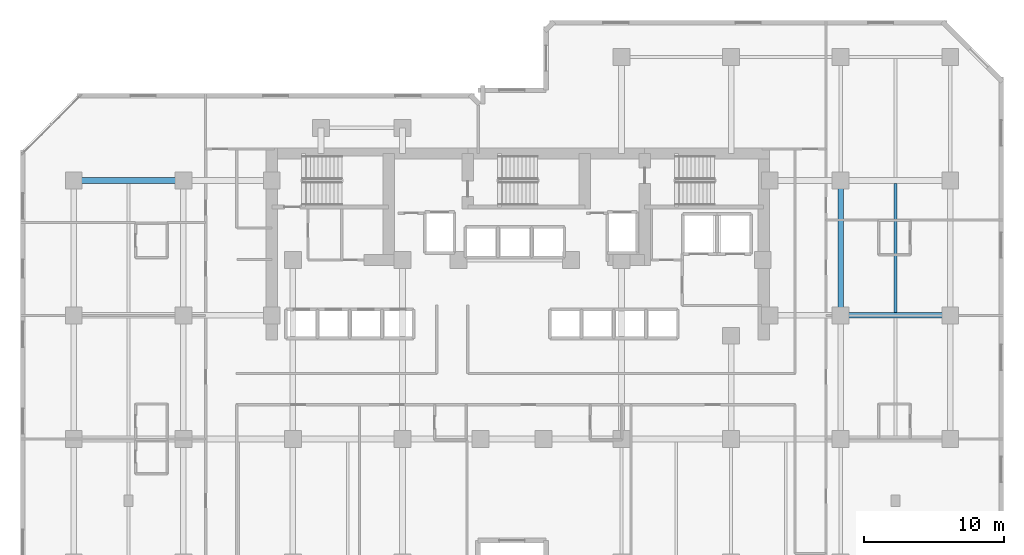
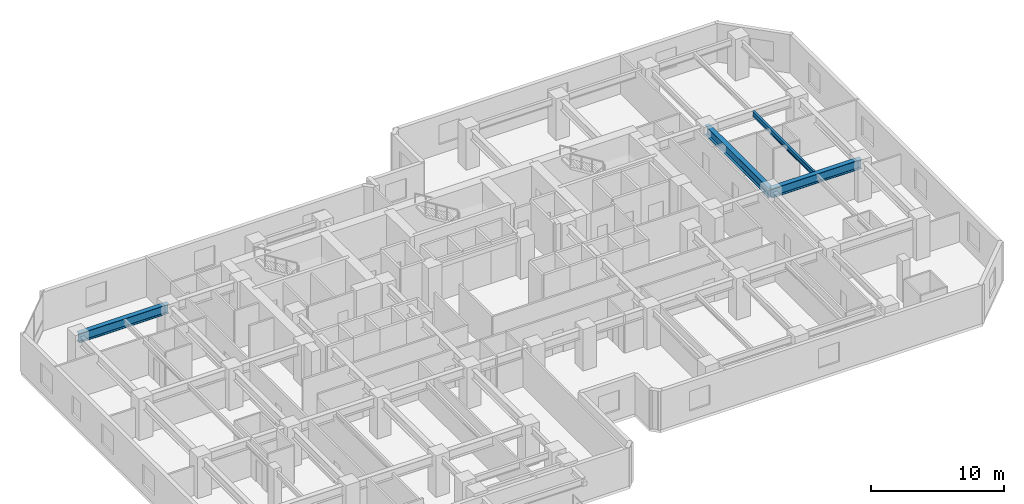
# One storey, part 2 of 12: 4 beams.
"""IFC4 building model written with IfcOpenShell, lengths in metres."""

from ifc_helpers import new_model, si_unit, direction, frame, origin, origin_2d, place, context, subcontext, project, spatial, i_section, extrude, material, material_profile, profile_set, type_object, element, save


model = new_model("IFC4")

# Units and contexts
model_context = context("Model", 3, precision=1e-05, world=origin(), true_north=direction((0.0, 1.0)))
body_context = subcontext(model_context, "Body", "Model", "MODEL_VIEW")
ifc_project = project(units=[si_unit("LENGTHUNIT", "METRE"), si_unit("AREAUNIT", "SQUARE_METRE"), si_unit("VOLUMEUNIT", "CUBIC_METRE"), si_unit("PLANEANGLEUNIT", "RADIAN"), si_unit("MASSUNIT", "GRAM", prefix="KILO")], contexts=[model_context])

# Site, building, storey
site_placement = place(None, origin())
site = spatial("IfcSite", under=ifc_project, at=site_placement, CompositionType="ELEMENT")
building_placement = place(site_placement, origin())
building = spatial("IfcBuilding", under=site, at=building_placement, Name="Kestravale Grand Hotel", CompositionType="ELEMENT")
storey_placement = place(building_placement, frame((0.0, 0.0, 99.39990234375)))
storey = spatial("IfcBuildingStorey", under=building, at=storey_placement, Name="L24", CompositionType="ELEMENT", Elevation=99.39990234375)

# Beams
ifc_material_1 = material(Name="Steel ASTM A992 Grade 50", Category="steel")
ifc_material_profile_1 = material_profile(ifc_material_1, i_section(OverallWidth=0.19091796875, OverallDepth=0.45703125, WebThickness=0.009033203125, FlangeThickness=0.014404296875, FilletRadius=0.015380859375, at=origin_2d()))
ifc_profile_set_1 = profile_set([ifc_material_profile_1], Name="Steel ASTM A992 Grade 50")
beam_type_1 = type_object("IfcBeamType", Name="B-FLR-JST18", PredefinedType="JOIST", material=ifc_profile_set_1)
beam_1_placement = place(storey_placement, frame((66.300048828125, 29.00048828125, 3.3115234375), z_axis=(0.0, 1.0, 0.0), x_axis=(-1.0, 0.0, 0.0)))
element("IfcBeam", 1, at=beam_1_placement, inside=storey, type_object=beam_type_1, Name="L24 floor joist 10-11/E-F #1", PredefinedType="JOIST", context=body_context, shape_type="SweptSolid", body=[
    extrude(i_section(OverallWidth=0.19091796875, OverallDepth=0.45703125, WebThickness=0.009033203125, FlangeThickness=0.014404296875, FilletRadius=0.015380859375, at=origin_2d()), origin(), (0.0, 0.0, 1.0), 9.198974609375),
])
ifc_material_2 = material(Name="Steel ASTM A992 Grade 50", Category="steel")
ifc_material_profile_2 = material_profile(ifc_material_2, i_section(OverallWidth=0.40087890625, OverallDepth=0.861083984375, WebThickness=0.019775390625, FlangeThickness=0.032470703125, FilletRadius=0.0234375, at=origin_2d()))
ifc_profile_set_2 = profile_set([ifc_material_profile_2], Name="Steel ASTM A992 Grade 50")
beam_type_2 = type_object("IfcBeamType", Name="B-GRD-W33", PredefinedType="BEAM", material=ifc_profile_set_2)
for number, where, z_axis, x_axis, name in (
    (2, (62.39990234375, 28.800048828125, 3.109619140625), (1.0, 0.0, 0.0), (0.0, 1.0, 0.0), "L24 girder E:10-11"),
    (3, (7.800048828125, 38.39990234375, 3.109619140625), (1.0, 0.0, 0.0), (0.0, 1.0, 0.0), "L24 girder F:2-3"),
):
    element("IfcBeam", number, at=place(storey_placement, frame(where, z_axis=z_axis, x_axis=x_axis)), inside=storey, type_object=beam_type_2, Name=name, PredefinedType="BEAM", context=body_context, shape_type="SweptSolid", body=[
        extrude(i_section(OverallWidth=0.40087890625, OverallDepth=0.861083984375, WebThickness=0.019775390625, FlangeThickness=0.032470703125, FilletRadius=0.0234375, at=origin_2d()), origin(), (0.0, 0.0, 1.0), 7.800048828125),
    ])
beam_2_placement = place(storey_placement, frame((62.39990234375, 28.800048828125, 3.109619140625), z_axis=(0.0, 1.0, 0.0), x_axis=(-1.0, 0.0, 0.0)))
element("IfcBeam", 4, at=beam_2_placement, inside=storey, type_object=beam_type_2, Name="L24 girder 10:E-F", PredefinedType="BEAM", context=body_context, shape_type="SweptSolid", body=[
    extrude(i_section(OverallWidth=0.40087890625, OverallDepth=0.861083984375, WebThickness=0.019775390625, FlangeThickness=0.032470703125, FilletRadius=0.0234375, at=origin_2d()), origin(), (0.0, 0.0, 1.0), 9.599853515625),
])

save(model, "model.ifc")
